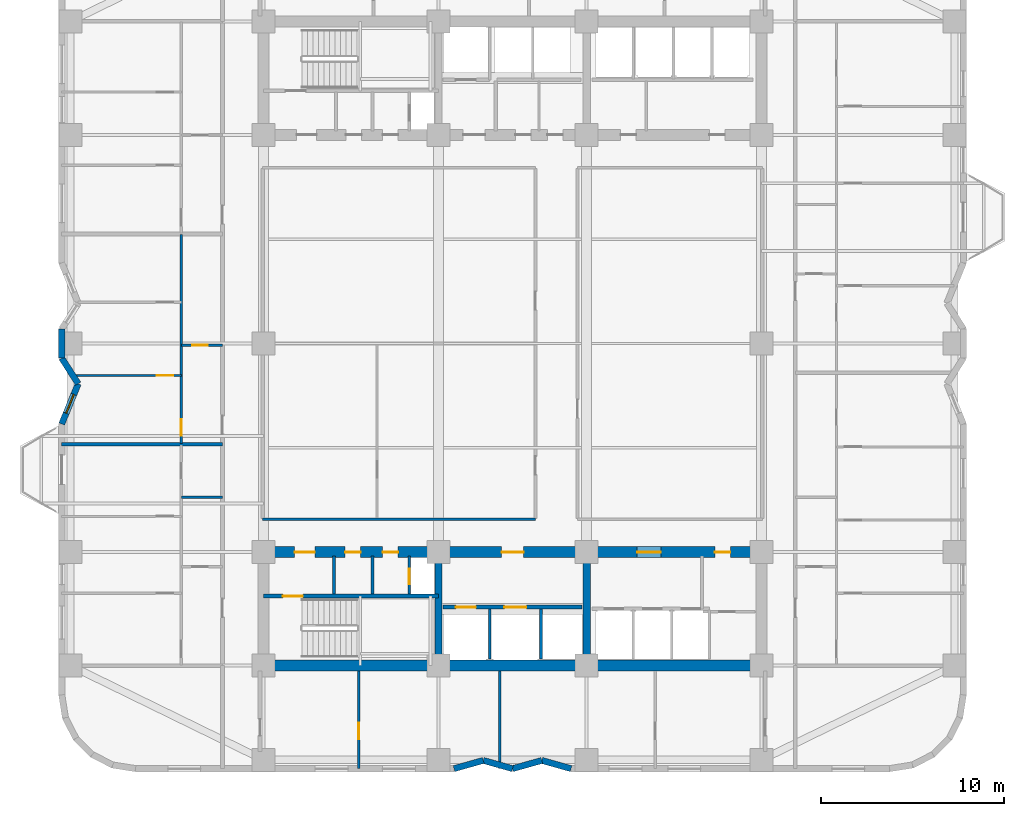
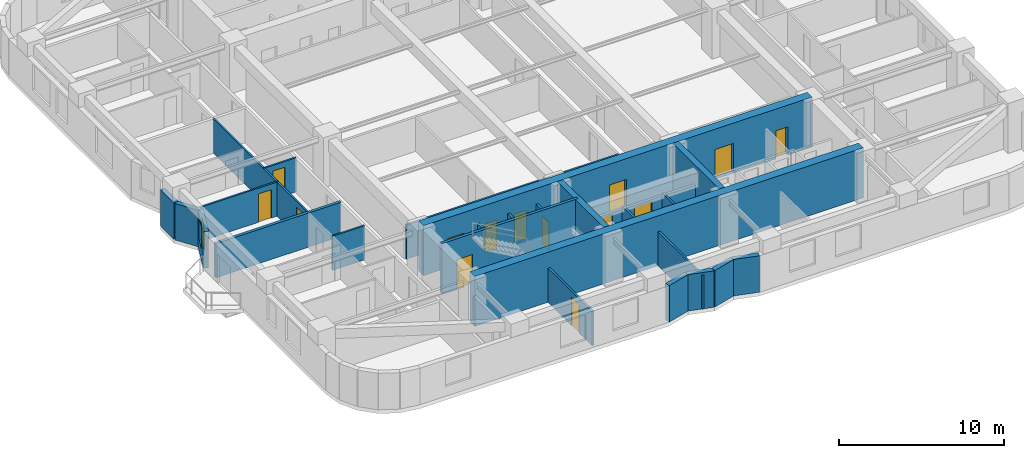
# One storey, part 3 of 10: 26 walls, 14 doors, 1 window, 15 openings.
"""IFC4 building model written with IfcOpenShell, lengths in metres."""

from ifc_helpers import new_model, si_unit, direction, frame, frame_2d, origin, place, context, subcontext, project, spatial, rectangle, extrude, material, layer, layer_set, type_object, element, fill, save


model = new_model("IFC4")

# Units and contexts
model_context = context("Model", 3, precision=1e-05, world=origin(), true_north=direction((0.0, 1.0)))
body_context = subcontext(model_context, "Body", "Model", "MODEL_VIEW")
ifc_project = project(units=[si_unit("LENGTHUNIT", "METRE"), si_unit("AREAUNIT", "SQUARE_METRE"), si_unit("VOLUMEUNIT", "CUBIC_METRE"), si_unit("PLANEANGLEUNIT", "RADIAN"), si_unit("MASSUNIT", "GRAM", prefix="KILO")], contexts=[model_context])

# Site, building, storey
site_placement = place(None, origin())
site = spatial("IfcSite", under=ifc_project, at=site_placement, CompositionType="ELEMENT")
building_placement = place(site_placement, origin())
building = spatial("IfcBuilding", under=site, at=building_placement, Name="Svetorya Sky Lyceum", CompositionType="ELEMENT")
storey_placement = place(building_placement, frame((0.0, 0.0, 43.60009765625)))
storey = spatial("IfcBuildingStorey", under=building, at=storey_placement, Name="L10", CompositionType="ELEMENT", Elevation=43.60009765625)

# Walls
ifc_material_1 = material(Name="Concrete C40/50", Category="concrete")
ifc_layer_1 = layer(ifc_material_1, 0.39990234375)
ifc_layer_set_1 = layer_set([ifc_layer_1], Name="Concrete C40/50")
wall_type_1 = type_object("IfcWallType", Name="WL-CORE-400", PredefinedType="SHEAR", material=ifc_layer_set_1)
for number, where, z_axis, x_axis, name in (
    (1, (35.14990234375, 10.89990234375, 0.0), (0.0, 0.0, 1.0), (0.0, 1.0, 0.0), "L10 SC Internal Shear Web WEB1"),
    (2, (43.25, 10.89990234375, 0.0), (0.0, 0.0, 1.0), (0.0, 1.0, 0.0), "L10 SC Internal Shear Web WEB2"),
):
    element("IfcWall", number, at=place(storey_placement, frame(where, z_axis=z_axis, x_axis=x_axis)), inside=storey, type_object=wall_type_1, Name=name, PredefinedType="SHEAR", context=body_context, shape_type="SweptSolid", body=[
        extrude(rectangle(XDim=5.60009765625, YDim=0.39990234375, at=frame_2d((2.800048828125, 0.0))), origin(), (0.0, 0.0, 1.0), 3.699951171875),
    ])
ifc_material_2 = material(Name="Concrete C60/75", Category="concrete")
ifc_layer_2 = layer(ifc_material_2, 0.60009765625)
ifc_layer_set_2 = layer_set([ifc_layer_2], Name="Concrete C60/75")
wall_type_2 = type_object("IfcWallType", Name="WL-CORE-600", PredefinedType="SHEAR", material=ifc_layer_set_2)
wall_1_placement = place(storey_placement, frame((52.800048828125, 10.60009765625, 0.0), z_axis=(0.0, 0.0, 1.0), x_axis=(-1.0, 0.0, 0.0)))
element("IfcWall", 3, at=wall_1_placement, inside=storey, type_object=wall_type_2, Name="L10 SC Outer Core Shear Wall", PredefinedType="SHEAR", context=body_context, shape_type="SweptSolid", body=[
    extrude(rectangle(XDim=27.199951171875, YDim=0.60009765625, at=frame_2d((13.60009765625, 0.0))), origin(), (0.0, 0.0, 1.0), 3.699951171875),
])

# Wall, openings, doors
wall_2_placement = place(storey_placement, frame((25.60009765625, 16.800048828125, 0.0), z_axis=(0.0, 0.0, 1.0), x_axis=(1.0, 0.0, 0.0)))
wall_2 = element("IfcWall", 4, at=wall_2_placement, inside=storey, type_object=wall_type_2, Name="L10 SC Inner Core Shear Wall", PredefinedType="SHEAR", context=body_context, shape_type="SweptSolid", body=[
    extrude(rectangle(XDim=27.199951171875, YDim=0.60009765625, at=frame_2d((13.60009765625, 0.0))), origin(), (0.0, 0.0, 1.0), 3.699951171875),
])
opening_1_placement = place(wall_2_placement, frame((1.699951171875, 0.0, 0.0)))
opening_1 = element("IfcOpeningElement", 5, at=opening_1_placement, cuts=wall_2, Name="Opening D-ST1", PredefinedType="OPENING", context=body_context, shape_type="SweptSolid", body=[
    extrude(rectangle(XDim=1.10009765625, YDim=2.14990234375, at=frame_2d((0.550048828125, 1.074951171875))), frame((0.0, 0.31005859375, 0.0), z_axis=(0.0, -1.0, 0.0), x_axis=(1.0, 0.0, 0.0)), (0.0, 0.0, 1.0), 0.6201171875),
])
opening_2_placement = place(wall_2_placement, frame((4.449951171875, 0.0, 0.0)))
opening_2 = element("IfcOpeningElement", 6, at=opening_2_placement, cuts=wall_2, Name="Opening D-CWC1", PredefinedType="OPENING", context=body_context, shape_type="SweptSolid", body=[
    extrude(rectangle(XDim=0.85009765625, YDim=2.10009765625, at=frame_2d((0.425048828125, 1.050048828125))), frame((0.0, 0.31005859375, 0.0), z_axis=(0.0, -1.0, 0.0), x_axis=(1.0, 0.0, 0.0)), (0.0, 0.0, 1.0), 0.6201171875),
])
opening_3_placement = place(wall_2_placement, frame((6.5, 0.0, 0.0)))
opening_3 = element("IfcOpeningElement", 7, at=opening_3_placement, cuts=wall_2, Name="Opening D-CWC1", PredefinedType="OPENING", context=body_context, shape_type="SweptSolid", body=[
    extrude(rectangle(XDim=0.85009765625, YDim=2.10009765625, at=frame_2d((0.425048828125, 1.050048828125))), frame((0.0, 0.31005859375, 0.0), z_axis=(0.0, -1.0, 0.0), x_axis=(1.0, 0.0, 0.0)), (0.0, 0.0, 1.0), 0.6201171875),
])
opening_4_placement = place(wall_2_placement, frame((13.0, 0.0, 0.0)))
opening_4 = element("IfcOpeningElement", 8, at=opening_4_placement, cuts=wall_2, Name="Opening D-FL1", PredefinedType="OPENING", context=body_context, shape_type="SweptSolid", body=[
    extrude(rectangle(XDim=1.199951171875, YDim=2.14990234375, at=frame_2d((0.60009765625, 1.074951171875))), frame((0.0, 0.31005859375, 0.0), z_axis=(0.0, -1.0, 0.0), x_axis=(1.0, 0.0, 0.0)), (0.0, 0.0, 1.0), 0.6201171875),
])
opening_5_placement = place(wall_2_placement, frame((20.39990234375, 0.0, 0.0)))
opening_5 = element("IfcOpeningElement", 9, at=opening_5_placement, cuts=wall_2, Name="Opening D-LB1", PredefinedType="OPENING", context=body_context, shape_type="SweptSolid", body=[
    extrude(rectangle(XDim=1.300048828125, YDim=2.199951171875, at=frame_2d((0.64990234375, 1.10009765625))), frame((0.0, 0.31005859375, 0.0), z_axis=(0.0, -1.0, 0.0), x_axis=(1.0, 0.0, 0.0)), (0.0, 0.0, 1.0), 0.6201171875),
])
opening_6_placement = place(wall_2_placement, frame((24.64990234375, 0.0, 0.0)))
opening_6 = element("IfcOpeningElement", 10, at=opening_6_placement, cuts=wall_2, Name="Opening D-CWC1", PredefinedType="OPENING", context=body_context, shape_type="SweptSolid", body=[
    extrude(rectangle(XDim=0.85009765625, YDim=2.10009765625, at=frame_2d((0.425048828125, 1.050048828125))), frame((0.0, 0.31005859375, 0.0), z_axis=(0.0, -1.0, 0.0), x_axis=(1.0, 0.0, 0.0)), (0.0, 0.0, 1.0), 0.6201171875),
])
ifc_material_3 = material(Name="Fire-rated galvanized steel core service closet door", Category="steel")
door_type_1 = type_object("IfcDoorType", Name="DR-CWET-850", OperationType="SINGLE_SWING_LEFT", PredefinedType="DOOR", material=ifc_material_3)
door_1_placement = place(opening_2_placement, origin())
door_1 = element("IfcDoor", 11, at=door_1_placement, inside=storey, type_object=door_type_1, Name="L10 South Mop Closet Door", OperationType="SINGLE_SWING_LEFT", OverallHeight=2.10009765625, OverallWidth=0.85009765625, PredefinedType="DOOR", context=body_context, shape_type="SweptSolid", body=[
    extrude(rectangle(XDim=0.85009765625, YDim=2.10009765625, at=frame_2d((0.425048828125, 1.050048828125))), frame((0.0, 0.02490234375, 0.0), z_axis=(0.0, -1.0, 0.0), x_axis=(1.0, 0.0, 0.0)), (0.0, 0.0, 1.0), 0.050048828125),
])
fill(opening_2, door_1)
door_2_placement = place(opening_3_placement, origin())
door_2 = element("IfcDoor", 12, at=door_2_placement, inside=storey, type_object=door_type_1, Name="L10 South West WC Door", OperationType="SINGLE_SWING_RIGHT", OverallHeight=2.10009765625, OverallWidth=0.85009765625, PredefinedType="DOOR", context=body_context, shape_type="SweptSolid", body=[
    extrude(rectangle(XDim=0.85009765625, YDim=2.10009765625, at=frame_2d((0.425048828125, 1.050048828125))), frame((0.0, 0.02490234375, 0.0), z_axis=(0.0, -1.0, 0.0), x_axis=(1.0, 0.0, 0.0)), (0.0, 0.0, 1.0), 0.050048828125),
])
fill(opening_3, door_2)
door_3_placement = place(opening_6_placement, origin())
door_3 = element("IfcDoor", 13, at=door_3_placement, inside=storey, type_object=door_type_1, Name="L10 South Core Auxiliary Door", OperationType="SINGLE_SWING_LEFT", OverallHeight=2.10009765625, OverallWidth=0.85009765625, PredefinedType="DOOR", context=body_context, shape_type="SweptSolid", body=[
    extrude(rectangle(XDim=0.85009765625, YDim=2.10009765625, at=frame_2d((0.425048828125, 1.050048828125))), frame((0.0, 0.02490234375, 0.0), z_axis=(0.0, -1.0, 0.0), x_axis=(1.0, 0.0, 0.0)), (0.0, 0.0, 1.0), 0.050048828125),
])
fill(opening_6, door_3)
ifc_material_4 = material(Name="Powder-coated insulated galvanized stair fire door")
door_type_2 = type_object("IfcDoorType", Name="DR-FIRE-1100", OperationType="SINGLE_SWING_LEFT", PredefinedType="DOOR", material=ifc_material_4)
door_4_placement = place(opening_1_placement, origin())
door_4 = element("IfcDoor", 14, at=door_4_placement, inside=storey, type_object=door_type_2, Name="L10 South Stair Airlock Door", OperationType="SINGLE_SWING_RIGHT", OverallHeight=2.14990234375, OverallWidth=1.10009765625, PredefinedType="DOOR", context=body_context, shape_type="SweptSolid", body=[
    extrude(rectangle(XDim=1.10009765625, YDim=2.14990234375, at=frame_2d((0.550048828125, 1.074951171875))), frame((0.0, 0.02490234375, 0.0), z_axis=(0.0, -1.0, 0.0), x_axis=(1.0, 0.0, 0.0)), (0.0, 0.0, 1.0), 0.050048828125),
])
fill(opening_1, door_4)
ifc_material_5 = material(Name="Powder-coated insulated galvanized fire door")
door_type_3 = type_object("IfcDoorType", Name="DR-FIRE-1200", OperationType="SINGLE_SWING_LEFT", PredefinedType="DOOR", material=ifc_material_5)
door_5_placement = place(opening_4_placement, origin())
door_5 = element("IfcDoor", 15, at=door_5_placement, inside=storey, type_object=door_type_3, Name="L10 South Firefighting Lift Lobby Door", OperationType="SINGLE_SWING_LEFT", OverallHeight=2.14990234375, OverallWidth=1.199951171875, PredefinedType="DOOR", context=body_context, shape_type="SweptSolid", body=[
    extrude(rectangle(XDim=1.199951171875, YDim=2.14990234375, at=frame_2d((0.60009765625, 1.074951171875))), frame((0.0, 0.02490234375, 0.0), z_axis=(0.0, -1.0, 0.0), x_axis=(1.0, 0.0, 0.0)), (0.0, 0.0, 1.0), 0.050048828125),
])
fill(opening_4, door_5)
ifc_material_6 = material(Name="Glazed fire-rated aluminium lobby door", Category="aluminium")
door_type_4 = type_object("IfcDoorType", Name="DR-LOB-1300", OperationType="SINGLE_SWING_LEFT", PredefinedType="DOOR", material=ifc_material_6)
door_6_placement = place(opening_5_placement, origin())
door_6 = element("IfcDoor", 16, at=door_6_placement, inside=storey, type_object=door_type_4, Name="L10 Low-Rise Lift Lobby Door", OperationType="SINGLE_SWING_RIGHT", OverallHeight=2.199951171875, OverallWidth=1.300048828125, PredefinedType="DOOR", context=body_context, shape_type="SweptSolid", body=[
    extrude(rectangle(XDim=1.300048828125, YDim=2.199951171875, at=frame_2d((0.64990234375, 1.10009765625))), frame((0.0, 0.02490234375, 0.0), z_axis=(0.0, -1.0, 0.0), x_axis=(1.0, 0.0, 0.0)), (0.0, 0.0, 1.0), 0.050048828125),
])
fill(opening_5, door_6)

# Walls
ifc_material_7 = material(Name="Putilovo limestone rainscreen on autoclaved cellular masonry", Category="masonry")
ifc_layer_3 = layer(ifc_material_7, 0.340087890625)
ifc_layer_set_3 = layer_set([ifc_layer_3], Name="Putilovo limestone rainscreen on autoclaved cellular masonry")
wall_type_3 = type_object("IfcWallType", Name="WL-EXT-340", PredefinedType="SOLIDWALL", material=ifc_layer_set_3)
wall_3_placement = place(storey_placement, frame((36.0, 4.969970703125, 0.0), z_axis=(0.0, 0.0, 1.0), x_axis=(0.962662902433, 0.270703040766, 0.0)))
element("IfcWall", 17, at=wall_3_placement, inside=storey, type_object=wall_type_3, Name="L10 Limestone Exterior Wall 7M", PredefinedType="SOLIDWALL", context=body_context, shape_type="SweptSolid", body=[
    extrude(rectangle(XDim=1.662109375, YDim=0.340087890625, at=frame_2d((0.8310546875, 0.0))), origin(), (0.0, 0.0, 1.0), 2.699951171875),
])
wall_4_placement = place(storey_placement, frame((37.60009765625, 5.419921875, 0.0), z_axis=(0.0, 0.0, 1.0), x_axis=(0.962652136636, -0.270741322725, 0.0)))
element("IfcWall", 18, at=wall_4_placement, inside=storey, type_object=wall_type_3, Name="L10 Limestone Exterior Wall 8M", PredefinedType="SOLIDWALL", context=body_context, shape_type="SweptSolid", body=[
    extrude(rectangle(XDim=1.661865234375, YDim=0.340087890625, at=frame_2d((0.8310546875, 0.0))), origin(), (0.0, 0.0, 1.0), 2.699951171875),
])
wall_5_placement = place(storey_placement, frame((39.199951171875, 4.969970703125, 0.0), z_axis=(0.0, 0.0, 1.0), x_axis=(0.962662902433, 0.270703040766, 0.0)))
element("IfcWall", 19, at=wall_5_placement, inside=storey, type_object=wall_type_3, Name="L10 Limestone Exterior Wall 9M", PredefinedType="SOLIDWALL", context=body_context, shape_type="SweptSolid", body=[
    extrude(rectangle(XDim=1.662109375, YDim=0.340087890625, at=frame_2d((0.8310546875, 0.0))), origin(), (0.0, 0.0, 1.0), 2.699951171875),
])
wall_6_placement = place(storey_placement, frame((40.800048828125, 5.419921875, 0.0), z_axis=(0.0, 0.0, 1.0), x_axis=(0.962652136636, -0.270741322725, 0.0)))
element("IfcWall", 20, at=wall_6_placement, inside=storey, type_object=wall_type_3, Name="L10 Limestone Exterior Wall 10M", PredefinedType="SOLIDWALL", context=body_context, shape_type="SweptSolid", body=[
    extrude(rectangle(XDim=1.661865234375, YDim=0.340087890625, at=frame_2d((0.8310546875, 0.0))), origin(), (0.0, 0.0, 1.0), 2.699951171875),
])
wall_7_placement = place(storey_placement, frame((14.570068359375, 29.0, 0.0), z_axis=(0.0, 0.0, 1.0), x_axis=(0.0, -1.0, 0.0)))
element("IfcWall", 21, at=wall_7_placement, inside=storey, type_object=wall_type_3, Name="L10 Limestone Exterior Wall 43M", PredefinedType="SOLIDWALL", context=body_context, shape_type="SweptSolid", body=[
    extrude(rectangle(XDim=1.60009765625, YDim=0.340087890625, at=frame_2d((0.800048828125, 0.0))), origin(), (0.0, 0.0, 1.0), 2.699951171875),
])
wall_8_placement = place(storey_placement, frame((14.570068359375, 27.39990234375, 0.0), z_axis=(0.0, 0.0, 1.0), x_axis=(0.540742762169, -0.841188008214, 0.0)))
element("IfcWall", 22, at=wall_8_placement, inside=storey, type_object=wall_type_3, Name="L10 Limestone Exterior Wall 44M", PredefinedType="SOLIDWALL", context=body_context, shape_type="SweptSolid", body=[
    extrude(rectangle(XDim=1.664306640625, YDim=0.340087890625, at=frame_2d((0.83203125, 0.0))), origin(), (0.0, 0.0, 1.0), 2.699951171875),
])

# Wall, opening, window
wall_9_placement = place(storey_placement, frame((15.469970703125, 26.0, 0.0), z_axis=(0.0, 0.0, 1.0), x_axis=(-0.378604849088, -0.925558408879, 0.0)))
wall_9 = element("IfcWall", 23, at=wall_9_placement, inside=storey, type_object=wall_type_3, Name="L10 Limestone Exterior Wall 45M", PredefinedType="SOLIDWALL", context=body_context, shape_type="SweptSolid", body=[
    extrude(rectangle(XDim=2.376953125, YDim=0.340087890625, at=frame_2d((1.1884765625, 0.0))), origin(), (0.0, 0.0, 1.0), 2.699951171875),
])
opening_7_placement = place(wall_9_placement, frame((0.638427734375, 0.0, 0.889892578125)))
opening_7 = element("IfcOpeningElement", 24, at=opening_7_placement, cuts=wall_9, Name="Opening W-R3", PredefinedType="OPENING", context=body_context, shape_type="SweptSolid", body=[
    extrude(rectangle(XDim=1.10009765625, YDim=1.64990234375, at=frame_2d((0.550048828125, 0.824951171875))), frame((0.0, 0.179931640625, 0.0), z_axis=(0.0, -1.0, 0.0), x_axis=(1.0, 0.0, 0.0)), (0.0, 0.0, 1.0), 0.360107421875),
])
ifc_material_8 = material(Name="Thermally broken aluminium frame with triple low-E glazing", Category="aluminium")
window_type = type_object("IfcWindowType", Name="WN-RES-110", PartitioningType="SINGLE_PANEL", PredefinedType="WINDOW", material=ifc_material_8)
window_placement = place(opening_7_placement, origin())
window = element("IfcWindow", 25, at=window_placement, inside=storey, type_object=window_type, Name="L10 Facade Window W-R3.45M.1", OverallHeight=1.64990234375, OverallWidth=1.10009765625, PartitioningType="SINGLE_PANEL", PredefinedType="WINDOW", context=body_context, shape_type="SweptSolid", body=[
    extrude(rectangle(XDim=1.10009765625, YDim=1.64990234375, at=frame_2d((0.550048828125, 0.824951171875))), frame((0.0, 0.030029296875, 0.0), z_axis=(0.0, -1.0, 0.0), x_axis=(1.0, 0.0, 0.0)), (0.0, 0.0, 1.0), 0.06005859375),
])
fill(opening_7, window)

# Wall
ifc_material_9 = material(Name="Twin-stud galvanized framing with double fireboard", Category="gypsum")
ifc_layer_4 = layer(ifc_material_9, 0.1201171875)
ifc_layer_set_4 = layer_set([ifc_layer_4], Name="Twin-stud galvanized framing with double fireboard")
wall_type_4 = type_object("IfcWallType", Name="WL-PART-120", PredefinedType="PARTITIONING", material=ifc_layer_set_4)
wall_10_placement = place(storey_placement, frame((21.10009765625, 19.800048828125, 0.0), z_axis=(0.0, 0.0, 1.0), x_axis=(1.0, 0.0, 0.0)))
element("IfcWall", 26, at=wall_10_placement, inside=storey, type_object=wall_type_4, Name="L10 Interior Partition W1-WH2", PredefinedType="PARTITIONING", context=body_context, shape_type="SweptSolid", body=[
    extrude(rectangle(XDim=2.25, YDim=0.1201171875, at=frame_2d((1.125, 0.0))), origin(), (0.0, 0.0, 1.0), 2.52978515625),
])

# Wall, opening, door
wall_11_placement = place(storey_placement, frame((21.10009765625, 28.10009765625, 0.0), z_axis=(0.0, 0.0, 1.0), x_axis=(1.0, 0.0, 0.0)))
wall_11 = element("IfcWall", 27, at=wall_11_placement, inside=storey, type_object=wall_type_4, Name="L10 Interior Partition W2-WH1", PredefinedType="PARTITIONING", context=body_context, shape_type="SweptSolid", body=[
    extrude(rectangle(XDim=2.25, YDim=0.1201171875, at=frame_2d((1.125, 0.0))), origin(), (0.0, 0.0, 1.0), 2.52978515625),
])
opening_8_placement = place(wall_11_placement, frame((0.60009765625, 0.0, 0.0)))
opening_8 = element("IfcOpeningElement", 28, at=opening_8_placement, cuts=wall_11, Name="Opening D-BT1", PredefinedType="OPENING", context=body_context, shape_type="SweptSolid", body=[
    extrude(rectangle(XDim=0.85009765625, YDim=2.10009765625, at=frame_2d((0.425048828125, 1.050048828125))), frame((0.0, 0.070068359375, 0.0), z_axis=(0.0, -1.0, 0.0), x_axis=(1.0, 0.0, 0.0)), (0.0, 0.0, 1.0), 0.14013671875),
])
ifc_material_10 = material(Name="Moisture-resistant laminate bathroom door")
door_type_5 = type_object("IfcDoorType", Name="DR-WET-850", OperationType="SINGLE_SWING_LEFT", PredefinedType="DOOR", material=ifc_material_10)
door_7_placement = place(opening_8_placement, origin())
door_7 = element("IfcDoor", 29, at=door_7_placement, inside=storey, type_object=door_type_5, Name="Apartment W2 Bathroom Door", OperationType="SINGLE_SWING_RIGHT", OverallHeight=2.10009765625, OverallWidth=0.85009765625, PredefinedType="DOOR", context=body_context, shape_type="SweptSolid", body=[
    extrude(rectangle(XDim=0.85009765625, YDim=2.10009765625, at=frame_2d((0.425048828125, 1.050048828125))), frame((0.0, 0.02490234375, 0.0), z_axis=(0.0, -1.0, 0.0), x_axis=(1.0, 0.0, 0.0)), (0.0, 0.0, 1.0), 0.050048828125),
])
fill(opening_8, door_7)

wall_12_placement = place(storey_placement, frame((15.1806640625, 26.449951171875, 0.0), z_axis=(0.0, 0.0, 1.0), x_axis=(1.0, 0.0, 0.0)))
wall_12 = element("IfcWall", 30, at=wall_12_placement, inside=storey, type_object=wall_type_4, Name="L10 Interior Partition W2-WL1", PredefinedType="PARTITIONING", context=body_context, shape_type="SweptSolid", body=[
    extrude(rectangle(XDim=5.91943359375, YDim=0.1201171875, at=frame_2d((2.959716796875, 0.0))), origin(), (0.0, 0.0, 1.0), 2.52978515625),
])
opening_9_placement = place(wall_12_placement, frame((4.5693359375, 0.0, 0.0)))
opening_9 = element("IfcOpeningElement", 31, at=opening_9_placement, cuts=wall_12, Name="Opening D-RM1", PredefinedType="OPENING", context=body_context, shape_type="SweptSolid", body=[
    extrude(rectangle(XDim=0.89990234375, YDim=2.10009765625, at=frame_2d((0.449951171875, 1.050048828125))), frame((0.0, 0.070068359375, 0.0), z_axis=(0.0, -1.0, 0.0), x_axis=(1.0, 0.0, 0.0)), (0.0, 0.0, 1.0), 0.14013671875),
])
ifc_material_11 = material(Name="Lacquered birch veneer internal door")
door_type_6 = type_object("IfcDoorType", Name="DR-INT-900", OperationType="SINGLE_SWING_LEFT", PredefinedType="DOOR", material=ifc_material_11)
door_8_placement = place(opening_9_placement, origin())
door_8 = element("IfcDoor", 32, at=door_8_placement, inside=storey, type_object=door_type_6, Name="Apartment W2 Master Bedroom Door", OperationType="SINGLE_SWING_RIGHT", OverallHeight=2.10009765625, OverallWidth=0.89990234375, PredefinedType="DOOR", context=body_context, shape_type="SweptSolid", body=[
    extrude(rectangle(XDim=0.89990234375, YDim=2.10009765625, at=frame_2d((0.449951171875, 1.050048828125))), frame((0.0, 0.02490234375, 0.0), z_axis=(0.0, -1.0, 0.0), x_axis=(1.0, 0.0, 0.0)), (0.0, 0.0, 1.0), 0.050048828125),
])
fill(opening_9, door_8)

wall_13_placement = place(storey_placement, frame((21.10009765625, 22.739990234375, 0.0), z_axis=(0.0, 0.0, 1.0), x_axis=(0.0, 1.0, 0.0)))
wall_13 = element("IfcWall", 33, at=wall_13_placement, inside=storey, type_object=wall_type_4, Name="L10 Interior Partition W2-WV", PredefinedType="PARTITIONING", context=body_context, shape_type="SweptSolid", body=[
    extrude(rectangle(XDim=11.404052734375, YDim=0.1201171875, at=frame_2d((5.7021484375, 0.0))), origin(), (0.0, 0.0, 1.0), 2.52978515625),
])
opening_10_placement = place(wall_13_placement, frame((0.409912109375, 0.0, 0.0)))
opening_10 = element("IfcOpeningElement", 34, at=opening_10_placement, cuts=wall_13, Name="Opening D-RM1", PredefinedType="OPENING", context=body_context, shape_type="SweptSolid", body=[
    extrude(rectangle(XDim=0.89990234375, YDim=2.10009765625, at=frame_2d((0.449951171875, 1.050048828125))), frame((0.0, 0.070068359375, 0.0), z_axis=(0.0, -1.0, 0.0), x_axis=(1.0, 0.0, 0.0)), (0.0, 0.0, 1.0), 0.14013671875),
])
door_9_placement = place(opening_10_placement, origin())
door_9 = element("IfcDoor", 35, at=door_9_placement, inside=storey, type_object=door_type_6, Name="Apartment W2 Living Door", OperationType="SINGLE_SWING_LEFT", OverallHeight=2.10009765625, OverallWidth=0.89990234375, PredefinedType="DOOR", context=body_context, shape_type="SweptSolid", body=[
    extrude(rectangle(XDim=0.89990234375, YDim=2.10009765625, at=frame_2d((0.449951171875, 1.050048828125))), frame((0.0, 0.02490234375, 0.0), z_axis=(0.0, -1.0, 0.0), x_axis=(1.0, 0.0, 0.0)), (0.0, 0.0, 1.0), 0.050048828125),
])
fill(opening_10, door_9)

# Walls
ifc_material_12 = material(Name="Autoclaved cellular masonry blockwork with acoustic render", Category="masonry")
ifc_layer_5 = layer(ifc_material_12, 0.14990234375)
ifc_layer_set_5 = layer_set([ifc_layer_5], Name="Autoclaved cellular masonry blockwork with acoustic render")
wall_type_5 = type_object("IfcWallType", Name="WL-PART-150", PredefinedType="PARTITIONING", material=ifc_layer_set_5)
for number, where, z_axis, x_axis, name in (
    (36, (29.449951171875, 14.5, 0.0), (0.0, 0.0, 1.0), (0.0, 1.0, 0.0), "L10 Interior Partition SC-SWD1"),
    (37, (31.550048828125, 14.5, 0.0), (0.0, 0.0, 1.0), (0.0, 1.0, 0.0), "L10 Interior Partition SC-SWD2"),
):
    element("IfcWall", number, at=place(storey_placement, frame(where, z_axis=z_axis, x_axis=x_axis)), inside=storey, type_object=wall_type_5, Name=name, PredefinedType="PARTITIONING", context=body_context, shape_type="SweptSolid", body=[
        extrude(rectangle(XDim=2.080078125, YDim=0.14990234375, at=frame_2d((1.0400390625, 0.0))), origin(), (0.0, 0.0, 1.0), 2.52978515625),
    ])

# Wall, opening, door
wall_14_placement = place(storey_placement, frame((33.550048828125, 14.5, 0.0), z_axis=(0.0, 0.0, 1.0), x_axis=(0.0, 1.0, 0.0)))
wall_14 = element("IfcWall", 38, at=wall_14_placement, inside=storey, type_object=wall_type_5, Name="L10 Interior Partition SC-SWD3", PredefinedType="PARTITIONING", context=body_context, shape_type="SweptSolid", body=[
    extrude(rectangle(XDim=2.080078125, YDim=0.14990234375, at=frame_2d((1.0400390625, 0.0))), origin(), (0.0, 0.0, 1.0), 2.52978515625),
])
opening_11_placement = place(wall_14_placement, frame((0.550048828125, 0.0, 0.0)))
opening_11 = element("IfcOpeningElement", 39, at=opening_11_placement, cuts=wall_14, Name="Opening D-SH1", PredefinedType="OPENING", context=body_context, shape_type="SweptSolid", body=[
    extrude(rectangle(XDim=0.85009765625, YDim=2.050048828125, at=frame_2d((0.425048828125, 1.02490234375))), frame((0.0, 0.0849609375, 0.0), z_axis=(0.0, -1.0, 0.0), x_axis=(1.0, 0.0, 0.0)), (0.0, 0.0, 1.0), 0.169921875),
])
ifc_material_13 = material(Name="Insulated galvanized riser inspection fire door")
door_type_7 = type_object("IfcDoorType", Name="DR-SHFT-850", OperationType="SINGLE_SWING_LEFT", PredefinedType="TRAPDOOR", material=ifc_material_13)
door_10_placement = place(opening_11_placement, origin())
door_10 = element("IfcDoor", 40, at=door_10_placement, inside=storey, type_object=door_type_7, Name="L10 South Riser Access Door", OperationType="SINGLE_SWING_RIGHT", OverallHeight=2.050048828125, OverallWidth=0.85009765625, PredefinedType="TRAPDOOR", context=body_context, shape_type="SweptSolid", body=[
    extrude(rectangle(XDim=0.85009765625, YDim=2.050048828125, at=frame_2d((0.425048828125, 1.02490234375))), frame((0.0, 0.02490234375, 0.0), z_axis=(0.0, -1.0, 0.0), x_axis=(1.0, 0.0, 0.0)), (0.0, 0.0, 1.0), 0.050048828125),
])
fill(opening_11, door_10)

# Walls
for number, where, z_axis, x_axis, name in (
    (41, (37.949951171875, 10.949951171875, 0.0), (0.0, 0.0, 1.0), (0.0, 1.0, 0.0), "L10 Interior Partition SC-SHD1"),
    (42, (40.75, 10.949951171875, 0.0), (0.0, 0.0, 1.0), (0.0, 1.0, 0.0), "L10 Interior Partition SC-SHD2"),
):
    element("IfcWall", number, at=place(storey_placement, frame(where, z_axis=z_axis, x_axis=x_axis)), inside=storey, type_object=wall_type_5, Name=name, PredefinedType="PARTITIONING", context=body_context, shape_type="SweptSolid", body=[
        extrude(rectangle(XDim=2.75, YDim=0.14990234375, at=frame_2d((1.375, 0.0))), origin(), (0.0, 0.0, 1.0), 2.52978515625),
    ])
wall_15_placement = place(storey_placement, frame((25.550048828125, 18.60009765625, 0.0), z_axis=(0.0, 0.0, 1.0), x_axis=(1.0, 0.0, 0.0)))
element("IfcWall", 43, at=wall_15_placement, inside=storey, type_object=wall_type_5, Name="L10 Interior Partition CS-MID-W", PredefinedType="PARTITIONING", context=body_context, shape_type="SweptSolid", body=[
    extrude(rectangle(XDim=14.89990234375, YDim=0.14990234375, at=frame_2d((7.449951171875, 0.0))), origin(), (0.0, 0.0, 1.0), 2.52978515625),
])

# Wall, opening, door
wall_16_placement = place(storey_placement, frame((30.800048828125, 4.969970703125, 0.0), z_axis=(0.0, 0.0, 1.0), x_axis=(0.0, 1.0, 0.0)))
wall_16 = element("IfcWall", 44, at=wall_16_placement, inside=storey, type_object=wall_type_5, Name="L10 Interior Partition S4-D1", PredefinedType="PARTITIONING", context=body_context, shape_type="SweptSolid", body=[
    extrude(rectangle(XDim=5.330078125, YDim=0.14990234375, at=frame_2d((2.6650390625, 0.0))), origin(), (0.0, 0.0, 1.0), 2.52978515625),
])
opening_12_placement = place(wall_16_placement, frame((1.60009765625, 0.0, 0.0)))
opening_12 = element("IfcOpeningElement", 45, at=opening_12_placement, cuts=wall_16, Name="Opening D-RM1", PredefinedType="OPENING", context=body_context, shape_type="SweptSolid", body=[
    extrude(rectangle(XDim=0.89990234375, YDim=2.10009765625, at=frame_2d((0.449951171875, 1.050048828125))), frame((0.0, 0.0849609375, 0.0), z_axis=(0.0, -1.0, 0.0), x_axis=(1.0, 0.0, 0.0)), (0.0, 0.0, 1.0), 0.169921875),
])
door_11_placement = place(opening_12_placement, origin())
door_11 = element("IfcDoor", 46, at=door_11_placement, inside=storey, type_object=door_type_6, Name="L10 South Suite Door 1", OperationType="SINGLE_SWING_LEFT", OverallHeight=2.10009765625, OverallWidth=0.89990234375, PredefinedType="DOOR", context=body_context, shape_type="SweptSolid", body=[
    extrude(rectangle(XDim=0.89990234375, YDim=2.10009765625, at=frame_2d((0.449951171875, 1.050048828125))), frame((0.0, 0.02490234375, 0.0), z_axis=(0.0, -1.0, 0.0), x_axis=(1.0, 0.0, 0.0)), (0.0, 0.0, 1.0), 0.050048828125),
])
fill(opening_12, door_11)

# Wall
wall_17_placement = place(storey_placement, frame((38.5, 4.969970703125, 0.0), z_axis=(0.0, 0.0, 1.0), x_axis=(0.0, 1.0, 0.0)))
element("IfcWall", 47, at=wall_17_placement, inside=storey, type_object=wall_type_5, Name="L10 Interior Partition S4-D2", PredefinedType="PARTITIONING", context=body_context, shape_type="SweptSolid", body=[
    extrude(rectangle(XDim=5.330078125, YDim=0.14990234375, at=frame_2d((2.6650390625, 0.0))), origin(), (0.0, 0.0, 1.0), 2.52978515625),
])

# Wall, openings, doors
ifc_material_14 = material(Name="Autoclaved cellular masonry blockwork with gypsum plaster", Category="masonry")
ifc_layer_6 = layer(ifc_material_14, 0.199951171875)
ifc_layer_set_6 = layer_set([ifc_layer_6], Name="Autoclaved cellular masonry blockwork with gypsum plaster")
wall_type_6 = type_object("IfcWallType", Name="WL-PART-200", PredefinedType="PARTITIONING", material=ifc_layer_set_6)
wall_18_placement = place(storey_placement, frame((35.39990234375, 13.800048828125, 0.0), z_axis=(0.0, 0.0, 1.0), x_axis=(1.0, 0.0, 0.0)))
wall_18 = element("IfcWall", 48, at=wall_18_placement, inside=storey, type_object=wall_type_6, Name="L10 Interior Partition SC-FLW", PredefinedType="PARTITIONING", context=body_context, shape_type="SweptSolid", body=[
    extrude(rectangle(XDim=7.60009765625, YDim=0.199951171875, at=frame_2d((3.800048828125, 0.0))), origin(), (0.0, 0.0, 1.0), 2.2998046875),
])
opening_13_placement = place(wall_18_placement, frame((0.699951171875, 0.0, 0.0)))
opening_13 = element("IfcOpeningElement", 49, at=opening_13_placement, cuts=wall_18, Name="Opening LD-FL", PredefinedType="OPENING", context=body_context, shape_type="SweptSolid", body=[
    extrude(rectangle(XDim=1.10009765625, YDim=2.14990234375, at=frame_2d((0.550048828125, 1.074951171875))), frame((0.0, 0.10986328125, 0.0), z_axis=(0.0, -1.0, 0.0), x_axis=(1.0, 0.0, 0.0)), (0.0, 0.0, 1.0), 0.219970703125),
])
opening_14_placement = place(wall_18_placement, frame((3.35009765625, 0.0, 0.0)))
opening_14 = element("IfcOpeningElement", 50, at=opening_14_placement, cuts=wall_18, Name="Opening LD-SV", PredefinedType="OPENING", context=body_context, shape_type="SweptSolid", body=[
    extrude(rectangle(XDim=1.199951171875, YDim=2.14990234375, at=frame_2d((0.60009765625, 1.074951171875))), frame((0.0, 0.10986328125, 0.0), z_axis=(0.0, -1.0, 0.0), x_axis=(1.0, 0.0, 0.0)), (0.0, 0.0, 1.0), 0.219970703125),
])
ifc_material_15 = material(Name="Fire-rated stainless AISI 304 firefighting lift landing door")
door_type_8 = type_object("IfcDoorType", Name="DR-LIFT-1100", OperationType="SLIDING_TO_LEFT", PredefinedType="DOOR", material=ifc_material_15)
door_12_placement = place(opening_13_placement, origin())
door_12 = element("IfcDoor", 51, at=door_12_placement, inside=storey, type_object=door_type_8, Name="L10 Firefighting Lift FL2 Landing Door", OperationType="SLIDING_TO_LEFT", OverallHeight=2.14990234375, OverallWidth=1.10009765625, PredefinedType="DOOR", context=body_context, shape_type="SweptSolid", body=[
    extrude(rectangle(XDim=1.10009765625, YDim=2.14990234375, at=frame_2d((0.550048828125, 1.074951171875))), frame((0.0, 0.02490234375, 0.0), z_axis=(0.0, -1.0, 0.0), x_axis=(1.0, 0.0, 0.0)), (0.0, 0.0, 1.0), 0.050048828125),
])
fill(opening_13, door_12)
ifc_material_16 = material(Name="Brushed stainless AISI 304 telescopic lift landing door")
door_type_9 = type_object("IfcDoorType", Name="DR-LIFT-1200", OperationType="SLIDING_TO_LEFT", PredefinedType="DOOR", material=ifc_material_16)
door_13_placement = place(opening_14_placement, origin())
door_13 = element("IfcDoor", 52, at=door_13_placement, inside=storey, type_object=door_type_9, Name="L10 Service Lift SVL1 Landing Door", OperationType="SLIDING_TO_LEFT", OverallHeight=2.14990234375, OverallWidth=1.199951171875, PredefinedType="DOOR", context=body_context, shape_type="SweptSolid", body=[
    extrude(rectangle(XDim=1.199951171875, YDim=2.14990234375, at=frame_2d((0.60009765625, 1.074951171875))), frame((0.0, 0.02490234375, 0.0), z_axis=(0.0, -1.0, 0.0), x_axis=(1.0, 0.0, 0.0)), (0.0, 0.0, 1.0), 0.050048828125),
])
fill(opening_14, door_13)

# Wall
wall_19_placement = place(storey_placement, frame((14.570068359375, 22.699951171875, 0.0), z_axis=(0.0, 0.0, 1.0), x_axis=(1.0, 0.0, 0.0)))
element("IfcWall", 53, at=wall_19_placement, inside=storey, type_object=wall_type_6, Name="L10 Interior Partition W-PARTY-1", PredefinedType="PARTITIONING", context=body_context, shape_type="SweptSolid", body=[
    extrude(rectangle(XDim=8.780029296875, YDim=0.199951171875, at=frame_2d((4.39013671875, 0.0))), origin(), (0.0, 0.0, 1.0), 2.52978515625),
])

# Wall, opening, door
ifc_material_17 = material(Name="Concrete C50/60", Category="concrete")
ifc_layer_7 = layer(ifc_material_17, 0.199951171875)
ifc_layer_set_7 = layer_set([ifc_layer_7], Name="Concrete C50/60")
wall_type_7 = type_object("IfcWallType", Name="WL-SHW-200", PredefinedType="SHEAR", material=ifc_layer_set_7)
wall_20_placement = place(storey_placement, frame((25.60009765625, 14.39990234375, 0.0), z_axis=(0.0, 0.0, 1.0), x_axis=(1.0, 0.0, 0.0)))
wall_20 = element("IfcWall", 54, at=wall_20_placement, inside=storey, type_object=wall_type_7, Name="L10 Structural Stair Shaft Wall SC-STW", PredefinedType="SHEAR", context=body_context, shape_type="SweptSolid", body=[
    extrude(rectangle(XDim=9.5498046875, YDim=0.199951171875, at=frame_2d((4.77490234375, 0.0))), origin(), (0.0, 0.0, 1.0), 3.699951171875),
])
opening_15_placement = place(wall_20_placement, frame((1.050048828125, 0.0, 0.0)))
opening_15 = element("IfcOpeningElement", 55, at=opening_15_placement, cuts=wall_20, Name="Opening D-ST1", PredefinedType="OPENING", context=body_context, shape_type="SweptSolid", body=[
    extrude(rectangle(XDim=1.10009765625, YDim=2.14990234375, at=frame_2d((0.550048828125, 1.074951171875))), frame((0.0, 0.10986328125, 0.0), z_axis=(0.0, -1.0, 0.0), x_axis=(1.0, 0.0, 0.0)), (0.0, 0.0, 1.0), 0.219970703125),
])
door_14_placement = place(opening_15_placement, origin())
door_14 = element("IfcDoor", 56, at=door_14_placement, inside=storey, type_object=door_type_2, Name="L10 Stair ST-S Vestibule Fire Door", OperationType="SINGLE_SWING_LEFT", OverallHeight=2.14990234375, OverallWidth=1.10009765625, PredefinedType="DOOR", context=body_context, shape_type="SweptSolid", body=[
    extrude(rectangle(XDim=1.10009765625, YDim=2.14990234375, at=frame_2d((0.550048828125, 1.074951171875))), frame((0.0, 0.02490234375, 0.0), z_axis=(0.0, -1.0, 0.0), x_axis=(1.0, 0.0, 0.0)), (0.0, 0.0, 1.0), 0.050048828125),
])
fill(opening_15, door_14)

save(model, "model.ifc")
